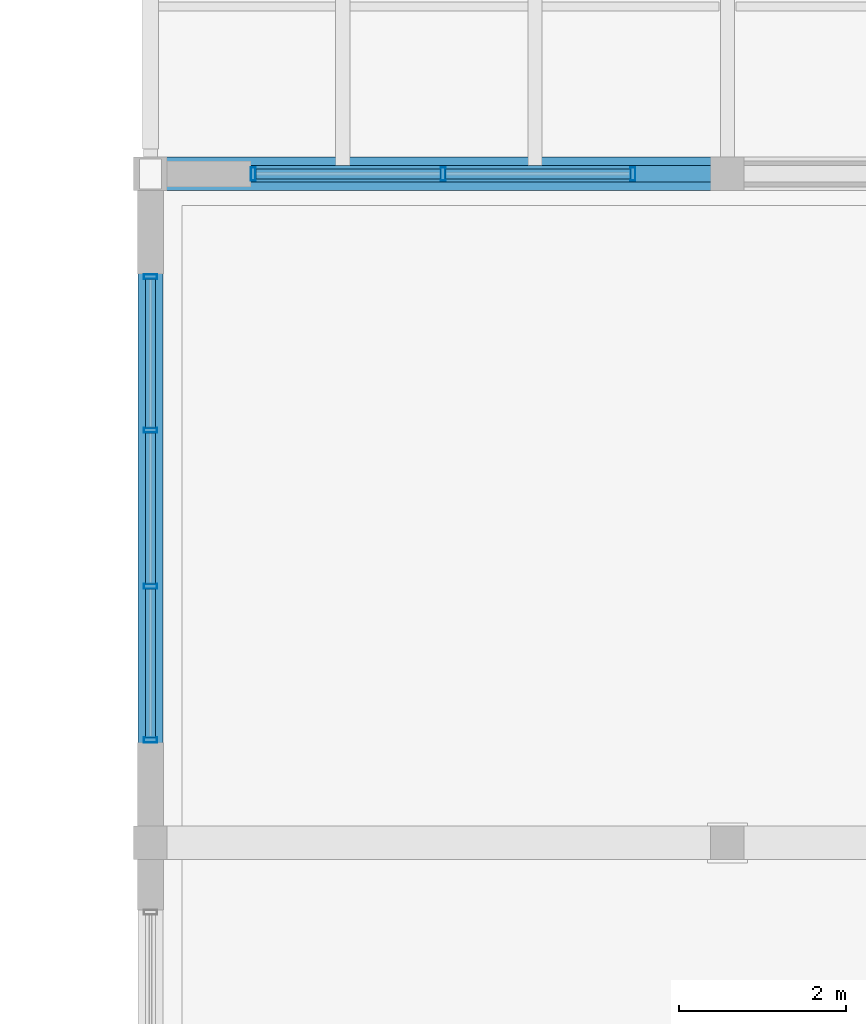
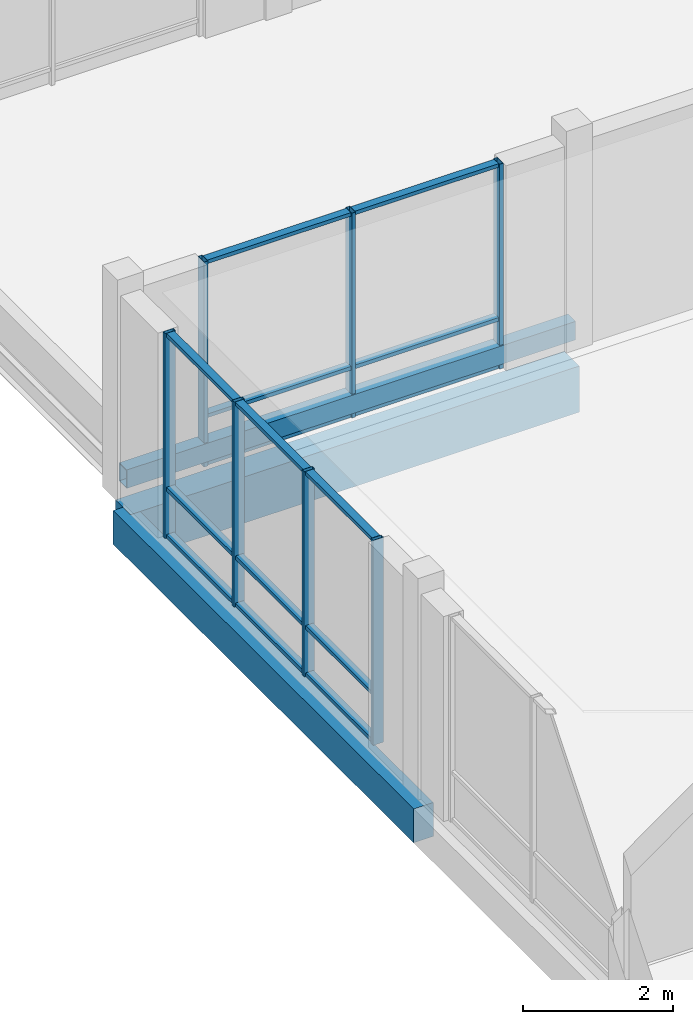
# One storey, part 28 of 189: 22 members, 3 beams, 2 elements without a shape of their own.
"""IFC4 building model written with IfcOpenShell, lengths in metres."""

from ifc_helpers import new_model, si_unit, direction, frame, origin, origin_2d, place, context, subcontext, project, spatial, rectangle, hollow_rectangle, extrude, material, material_profile, profile_set, type_object, element, aggregate, save


model = new_model("IFC4")

# Units and contexts
model_context = context("Model", 3, precision=1e-05, world=origin(), true_north=direction((0.0, 1.0)))
body_context = subcontext(model_context, "Body", "Model", "MODEL_VIEW")
ifc_project = project(units=[si_unit("LENGTHUNIT", "METRE"), si_unit("AREAUNIT", "SQUARE_METRE"), si_unit("VOLUMEUNIT", "CUBIC_METRE"), si_unit("PLANEANGLEUNIT", "RADIAN"), si_unit("MASSUNIT", "GRAM", prefix="KILO")], contexts=[model_context])

# Site, building, storey
site_placement = place(None, origin())
site = spatial("IfcSite", under=ifc_project, at=site_placement, CompositionType="ELEMENT")
building_placement = place(site_placement, origin())
building = spatial("IfcBuilding", under=site, at=building_placement, Name="Zavelmont Quarter", CompositionType="ELEMENT")
storey_placement = place(building_placement, frame((0.0, 0.0, 4.39990234375)))
storey = spatial("IfcBuildingStorey", under=building, at=storey_placement, Name="L01", CompositionType="ELEMENT", Elevation=4.39990234375)

# Beams
ifc_material_1 = material(Name="Concrete C35/45", Category="concrete")
ifc_material_profile_1 = material_profile(ifc_material_1, rectangle(XDim=0.300048828125, YDim=0.550048828125, at=origin_2d()), Name="RC300X550")
ifc_profile_set_1 = profile_set([ifc_material_profile_1], Name="Concrete C35/45")
beam_type_1 = type_object("IfcBeamType", Name="BM02", PredefinedType="SPANDREL", material=ifc_profile_set_1)
beam_1_placement = place(storey_placement, frame((0.0, 46.0, -0.554931640625), z_axis=(0.0, 1.0, 0.0), x_axis=(-1.0, 0.0, 0.0)))
element("IfcBeam", 1, at=beam_1_placement, inside=storey, type_object=beam_type_1, Name="L01 beam BM02 1/H to 1/J", PredefinedType="SPANDREL", context=body_context, shape_type="SweptSolid", body=[
    extrude(rectangle(XDim=0.300048828125, YDim=0.550048828125, at=origin_2d()), origin(), (0.0, 0.0, 1.0), 8.0),
])
ifc_material_2 = material(Name="Concrete C40/50", Category="concrete")
ifc_material_profile_2 = material_profile(ifc_material_2, rectangle(XDim=0.39990234375, YDim=0.75, at=origin_2d()), Name="RC400X750")
ifc_profile_set_2 = profile_set([ifc_material_profile_2], Name="Concrete C40/50")
beam_type_2 = type_object("IfcBeamType", Name="BM05", PredefinedType="BEAM", material=ifc_profile_set_2)
beam_2_placement = place(storey_placement, frame((0.0, 54.0, -0.65478515625), z_axis=(1.0, 0.0, 0.0), x_axis=(0.0, 1.0, 0.0)))
element("IfcBeam", 2, at=beam_2_placement, inside=storey, type_object=beam_type_2, Name="L01 beam BM05 1/J to 2/J", PredefinedType="BEAM", context=body_context, shape_type="SweptSolid", body=[
    extrude(rectangle(XDim=0.39990234375, YDim=0.75, at=origin_2d()), origin(), (0.0, 0.0, 1.0), 6.89990234375),
])
ifc_material_3 = material(Name="Steel S355", Category="steel")
ifc_material_profile_3 = material_profile(ifc_material_3, hollow_rectangle(XDim=0.199951171875, YDim=0.300048828125, WallThickness=0.012451171875, at=origin_2d()), Name="RHS 300X200X12.5")
ifc_profile_set_3 = profile_set([ifc_material_profile_3], Name="Steel S355")
beam_type_3 = type_object("IfcBeamType", Name="BM16", PredefinedType="BEAM", material=ifc_profile_set_3)
beam_3_placement = place(storey_placement, frame((0.0, 54.0, 0.235107421875), z_axis=(1.0, 0.0, 0.0), x_axis=(0.0, 1.0, 0.0)))
element("IfcBeam", 3, at=beam_3_placement, inside=storey, type_object=beam_type_3, Name="L01 beam BM16 1/J to 2/J", PredefinedType="BEAM", context=body_context, shape_type="SweptSolid", body=[
    extrude(hollow_rectangle(XDim=0.199951171875, YDim=0.300048828125, WallThickness=0.012451171875, at=origin_2d()), origin(), (0.0, 0.0, 1.0), 6.89990234375),
])

# Curtain wall, members
ifc_material_4 = material(Name="Thermally broken aluminium and double low-E safety glazing", Category="aluminium")
curtain_wall_type_1 = type_object("IfcCurtainWallType", Name="CW-560X333", PredefinedType="NOTDEFINED", material=ifc_material_4)
curtain_wall_1_placement = place(storey_placement, origin())
curtain_wall_1 = element("IfcCurtainWall", 4, at=curtain_wall_1_placement, inside=storey, type_object=curtain_wall_type_1, Name="L01 unitised curtain wall CW-560X333", PredefinedType="NOTDEFINED")
ifc_material_5 = material(Name="Powder-coated aluminium EN AW-6063-T6", Category="aluminium")
ifc_material_profile_4 = material_profile(ifc_material_5, hollow_rectangle(XDim=0.06005859375, YDim=0.159912109375, WallThickness=0.00390625, at=origin_2d()), Name="CWM60X160")
ifc_profile_set_4 = profile_set([ifc_material_profile_4], Name="Powder-coated aluminium EN AW-6063-T6")
member_type_1 = type_object("IfcMemberType", Name="CWM01", PredefinedType="MULLION", material=ifc_profile_set_4)
member_1_placement = place(storey_placement, frame((0.0, 47.22998046875, 0.0), z_axis=(0.0, 0.0, 1.0), x_axis=(0.0, 1.0, 0.0)))
member_1 = element("IfcMember", 5, at=member_1_placement, type_object=member_type_1, Name="CW-560X333 mullion 1", PredefinedType="MULLION", context=body_context, shape_type="SweptSolid", body=[
    extrude(hollow_rectangle(XDim=0.06005859375, YDim=0.159912109375, WallThickness=0.00390625, at=origin_2d()), origin(), (0.0, 0.0, 1.0), 3.330078125),
])
member_2_placement = place(storey_placement, frame((0.0, 49.066650390625, 0.0), z_axis=(0.0, 0.0, 1.0), x_axis=(0.0, 1.0, 0.0)))
member_2 = element("IfcMember", 6, at=member_2_placement, type_object=member_type_1, Name="CW-560X333 mullion 2", PredefinedType="MULLION", context=body_context, shape_type="SweptSolid", body=[
    extrude(hollow_rectangle(XDim=0.06005859375, YDim=0.159912109375, WallThickness=0.00390625, at=origin_2d()), origin(), (0.0, 0.0, 1.0), 3.330078125),
])
member_3_placement = place(storey_placement, frame((0.0, 50.933349609375, 0.0), z_axis=(0.0, 0.0, 1.0), x_axis=(0.0, 1.0, 0.0)))
member_3 = element("IfcMember", 7, at=member_3_placement, type_object=member_type_1, Name="CW-560X333 mullion 3", PredefinedType="MULLION", context=body_context, shape_type="SweptSolid", body=[
    extrude(hollow_rectangle(XDim=0.06005859375, YDim=0.159912109375, WallThickness=0.00390625, at=origin_2d()), origin(), (0.0, 0.0, 1.0), 3.330078125),
])
member_4_placement = place(storey_placement, frame((0.0, 52.77001953125, 0.0), z_axis=(0.0, 0.0, 1.0), x_axis=(0.0, 1.0, 0.0)))
member_4 = element("IfcMember", 8, at=member_4_placement, type_object=member_type_1, Name="CW-560X333 mullion 4", PredefinedType="MULLION", context=body_context, shape_type="SweptSolid", body=[
    extrude(hollow_rectangle(XDim=0.06005859375, YDim=0.159912109375, WallThickness=0.00390625, at=origin_2d()), origin(), (0.0, 0.0, 1.0), 3.330078125),
])

curtain_wall_type_2 = type_object("IfcCurtainWallType", Name="CW-460X333", PredefinedType="NOTDEFINED", material=ifc_material_4)
curtain_wall_2_placement = place(storey_placement, origin())
curtain_wall_2 = element("IfcCurtainWall", 9, at=curtain_wall_2_placement, inside=storey, type_object=curtain_wall_type_2, Name="L01 unitised curtain wall CW-460X333", PredefinedType="NOTDEFINED")
member_5_placement = place(storey_placement, frame((1.22998046875, 54.0, 0.0), z_axis=(0.0, 0.0, 1.0), x_axis=(1.0, 0.0, 0.0)))
member_5 = element("IfcMember", 10, at=member_5_placement, type_object=member_type_1, Name="CW-460X333 mullion 1", PredefinedType="MULLION", context=body_context, shape_type="SweptSolid", body=[
    extrude(hollow_rectangle(XDim=0.06005859375, YDim=0.159912109375, WallThickness=0.00390625, at=origin_2d()), origin(), (0.0, 0.0, 1.0), 3.330078125),
])
member_6_placement = place(storey_placement, frame((3.5, 54.0, 0.0), z_axis=(0.0, 0.0, 1.0), x_axis=(1.0, 0.0, 0.0)))
member_6 = element("IfcMember", 11, at=member_6_placement, type_object=member_type_1, Name="CW-460X333 mullion 2", PredefinedType="MULLION", context=body_context, shape_type="SweptSolid", body=[
    extrude(hollow_rectangle(XDim=0.06005859375, YDim=0.159912109375, WallThickness=0.00390625, at=origin_2d()), origin(), (0.0, 0.0, 1.0), 3.330078125),
])
member_7_placement = place(storey_placement, frame((5.77001953125, 54.0, 0.0), z_axis=(0.0, 0.0, 1.0), x_axis=(1.0, 0.0, 0.0)))
member_7 = element("IfcMember", 12, at=member_7_placement, type_object=member_type_1, Name="CW-460X333 mullion 3", PredefinedType="MULLION", context=body_context, shape_type="SweptSolid", body=[
    extrude(hollow_rectangle(XDim=0.06005859375, YDim=0.159912109375, WallThickness=0.00390625, at=origin_2d()), origin(), (0.0, 0.0, 1.0), 3.330078125),
])

# Member
ifc_material_profile_5 = material_profile(ifc_material_5, hollow_rectangle(XDim=0.1201171875, YDim=0.06005859375, WallThickness=0.00390625, at=origin_2d()), Name="CWT60X120")
ifc_profile_set_5 = profile_set([ifc_material_profile_5], Name="Powder-coated aluminium EN AW-6063-T6")
member_type_2 = type_object("IfcMemberType", Name="CWT01", PredefinedType="NOTDEFINED", material=ifc_profile_set_5)
member_8_placement = place(storey_placement, frame((0.0, 47.260009765625, 0.030029296875), z_axis=(0.0, 1.0, 0.0), x_axis=(-1.0, 0.0, 0.0)))
member_8 = element("IfcMember", 13, at=member_8_placement, type_object=member_type_2, Name="CW-560X333 transom 1.1", ObjectType="TRANSOM", PredefinedType="USERDEFINED", context=body_context, shape_type="SweptSolid", body=[
    extrude(hollow_rectangle(XDim=0.1201171875, YDim=0.06005859375, WallThickness=0.00390625, at=origin_2d()), origin(), (0.0, 0.0, 1.0), 1.776611328125),
])

member_9_placement = place(storey_placement, frame((0.0, 47.260009765625, 0.799072265625), z_axis=(0.0, 1.0, 0.0), x_axis=(-1.0, 0.0, 0.0)))
member_9 = element("IfcMember", 14, at=member_9_placement, type_object=member_type_2, Name="CW-560X333 transom 1.2", ObjectType="TRANSOM", PredefinedType="USERDEFINED", context=body_context, shape_type="SweptSolid", body=[
    extrude(hollow_rectangle(XDim=0.1201171875, YDim=0.06005859375, WallThickness=0.00390625, at=origin_2d()), origin(), (0.0, 0.0, 1.0), 1.776611328125),
])

member_10_placement = place(storey_placement, frame((0.0, 47.260009765625, 3.300048828125), z_axis=(0.0, 1.0, 0.0), x_axis=(-1.0, 0.0, 0.0)))
member_10 = element("IfcMember", 15, at=member_10_placement, type_object=member_type_2, Name="CW-560X333 transom 1.3", ObjectType="TRANSOM", PredefinedType="USERDEFINED", context=body_context, shape_type="SweptSolid", body=[
    extrude(hollow_rectangle(XDim=0.1201171875, YDim=0.06005859375, WallThickness=0.00390625, at=origin_2d()), origin(), (0.0, 0.0, 1.0), 1.776611328125),
])

member_11_placement = place(storey_placement, frame((0.0, 49.0966796875, 0.030029296875), z_axis=(0.0, 1.0, 0.0), x_axis=(-1.0, 0.0, 0.0)))
member_11 = element("IfcMember", 16, at=member_11_placement, type_object=member_type_2, Name="CW-560X333 transom 2.1", ObjectType="TRANSOM", PredefinedType="USERDEFINED", context=body_context, shape_type="SweptSolid", body=[
    extrude(hollow_rectangle(XDim=0.1201171875, YDim=0.06005859375, WallThickness=0.00390625, at=origin_2d()), origin(), (0.0, 0.0, 1.0), 1.806640625),
])

member_12_placement = place(storey_placement, frame((0.0, 49.0966796875, 0.799072265625), z_axis=(0.0, 1.0, 0.0), x_axis=(-1.0, 0.0, 0.0)))
member_12 = element("IfcMember", 17, at=member_12_placement, type_object=member_type_2, Name="CW-560X333 transom 2.2", ObjectType="TRANSOM", PredefinedType="USERDEFINED", context=body_context, shape_type="SweptSolid", body=[
    extrude(hollow_rectangle(XDim=0.1201171875, YDim=0.06005859375, WallThickness=0.00390625, at=origin_2d()), origin(), (0.0, 0.0, 1.0), 1.806640625),
])

member_13_placement = place(storey_placement, frame((0.0, 49.0966796875, 3.300048828125), z_axis=(0.0, 1.0, 0.0), x_axis=(-1.0, 0.0, 0.0)))
member_13 = element("IfcMember", 18, at=member_13_placement, type_object=member_type_2, Name="CW-560X333 transom 2.3", ObjectType="TRANSOM", PredefinedType="USERDEFINED", context=body_context, shape_type="SweptSolid", body=[
    extrude(hollow_rectangle(XDim=0.1201171875, YDim=0.06005859375, WallThickness=0.00390625, at=origin_2d()), origin(), (0.0, 0.0, 1.0), 1.806640625),
])

member_14_placement = place(storey_placement, frame((0.0, 50.96337890625, 0.030029296875), z_axis=(0.0, 1.0, 0.0), x_axis=(-1.0, 0.0, 0.0)))
member_14 = element("IfcMember", 19, at=member_14_placement, type_object=member_type_2, Name="CW-560X333 transom 3.1", ObjectType="TRANSOM", PredefinedType="USERDEFINED", context=body_context, shape_type="SweptSolid", body=[
    extrude(hollow_rectangle(XDim=0.1201171875, YDim=0.06005859375, WallThickness=0.00390625, at=origin_2d()), origin(), (0.0, 0.0, 1.0), 1.776611328125),
])

member_15_placement = place(storey_placement, frame((0.0, 50.96337890625, 0.799072265625), z_axis=(0.0, 1.0, 0.0), x_axis=(-1.0, 0.0, 0.0)))
member_15 = element("IfcMember", 20, at=member_15_placement, type_object=member_type_2, Name="CW-560X333 transom 3.2", ObjectType="TRANSOM", PredefinedType="USERDEFINED", context=body_context, shape_type="SweptSolid", body=[
    extrude(hollow_rectangle(XDim=0.1201171875, YDim=0.06005859375, WallThickness=0.00390625, at=origin_2d()), origin(), (0.0, 0.0, 1.0), 1.776611328125),
])

member_16_placement = place(storey_placement, frame((0.0, 50.96337890625, 3.300048828125), z_axis=(0.0, 1.0, 0.0), x_axis=(-1.0, 0.0, 0.0)))
member_16 = element("IfcMember", 21, at=member_16_placement, type_object=member_type_2, Name="CW-560X333 transom 3.3", ObjectType="TRANSOM", PredefinedType="USERDEFINED", context=body_context, shape_type="SweptSolid", body=[
    extrude(hollow_rectangle(XDim=0.1201171875, YDim=0.06005859375, WallThickness=0.00390625, at=origin_2d()), origin(), (0.0, 0.0, 1.0), 1.776611328125),
])

aggregate(curtain_wall_1, [member_1, member_2, member_3, member_4, member_8, member_9, member_10, member_11, member_12, member_13, member_14, member_15, member_16])

member_17_placement = place(storey_placement, frame((1.260009765625, 54.0, 0.030029296875), z_axis=(1.0, 0.0, 0.0), x_axis=(0.0, 1.0, 0.0)))
member_17 = element("IfcMember", 22, at=member_17_placement, type_object=member_type_2, Name="CW-460X333 transom 1.1", ObjectType="TRANSOM", PredefinedType="USERDEFINED", context=body_context, shape_type="SweptSolid", body=[
    extrude(hollow_rectangle(XDim=0.1201171875, YDim=0.06005859375, WallThickness=0.00390625, at=origin_2d()), origin(), (0.0, 0.0, 1.0), 2.2099609375),
])

member_18_placement = place(storey_placement, frame((1.260009765625, 54.0, 0.799072265625), z_axis=(1.0, 0.0, 0.0), x_axis=(0.0, 1.0, 0.0)))
member_18 = element("IfcMember", 23, at=member_18_placement, type_object=member_type_2, Name="CW-460X333 transom 1.2", ObjectType="TRANSOM", PredefinedType="USERDEFINED", context=body_context, shape_type="SweptSolid", body=[
    extrude(hollow_rectangle(XDim=0.1201171875, YDim=0.06005859375, WallThickness=0.00390625, at=origin_2d()), origin(), (0.0, 0.0, 1.0), 2.2099609375),
])

member_19_placement = place(storey_placement, frame((1.260009765625, 54.0, 3.300048828125), z_axis=(1.0, 0.0, 0.0), x_axis=(0.0, 1.0, 0.0)))
member_19 = element("IfcMember", 24, at=member_19_placement, type_object=member_type_2, Name="CW-460X333 transom 1.3", ObjectType="TRANSOM", PredefinedType="USERDEFINED", context=body_context, shape_type="SweptSolid", body=[
    extrude(hollow_rectangle(XDim=0.1201171875, YDim=0.06005859375, WallThickness=0.00390625, at=origin_2d()), origin(), (0.0, 0.0, 1.0), 2.2099609375),
])

member_20_placement = place(storey_placement, frame((3.530029296875, 54.0, 0.030029296875), z_axis=(1.0, 0.0, 0.0), x_axis=(0.0, 1.0, 0.0)))
member_20 = element("IfcMember", 25, at=member_20_placement, type_object=member_type_2, Name="CW-460X333 transom 2.1", ObjectType="TRANSOM", PredefinedType="USERDEFINED", context=body_context, shape_type="SweptSolid", body=[
    extrude(hollow_rectangle(XDim=0.1201171875, YDim=0.06005859375, WallThickness=0.00390625, at=origin_2d()), origin(), (0.0, 0.0, 1.0), 2.2099609375),
])

member_21_placement = place(storey_placement, frame((3.530029296875, 54.0, 0.799072265625), z_axis=(1.0, 0.0, 0.0), x_axis=(0.0, 1.0, 0.0)))
member_21 = element("IfcMember", 26, at=member_21_placement, type_object=member_type_2, Name="CW-460X333 transom 2.2", ObjectType="TRANSOM", PredefinedType="USERDEFINED", context=body_context, shape_type="SweptSolid", body=[
    extrude(hollow_rectangle(XDim=0.1201171875, YDim=0.06005859375, WallThickness=0.00390625, at=origin_2d()), origin(), (0.0, 0.0, 1.0), 2.2099609375),
])

member_22_placement = place(storey_placement, frame((3.530029296875, 54.0, 3.300048828125), z_axis=(1.0, 0.0, 0.0), x_axis=(0.0, 1.0, 0.0)))
member_22 = element("IfcMember", 27, at=member_22_placement, type_object=member_type_2, Name="CW-460X333 transom 2.3", ObjectType="TRANSOM", PredefinedType="USERDEFINED", context=body_context, shape_type="SweptSolid", body=[
    extrude(hollow_rectangle(XDim=0.1201171875, YDim=0.06005859375, WallThickness=0.00390625, at=origin_2d()), origin(), (0.0, 0.0, 1.0), 2.2099609375),
])

aggregate(curtain_wall_2, [member_5, member_6, member_7, member_17, member_18, member_19, member_20, member_21, member_22])

save(model, "model.ifc")
